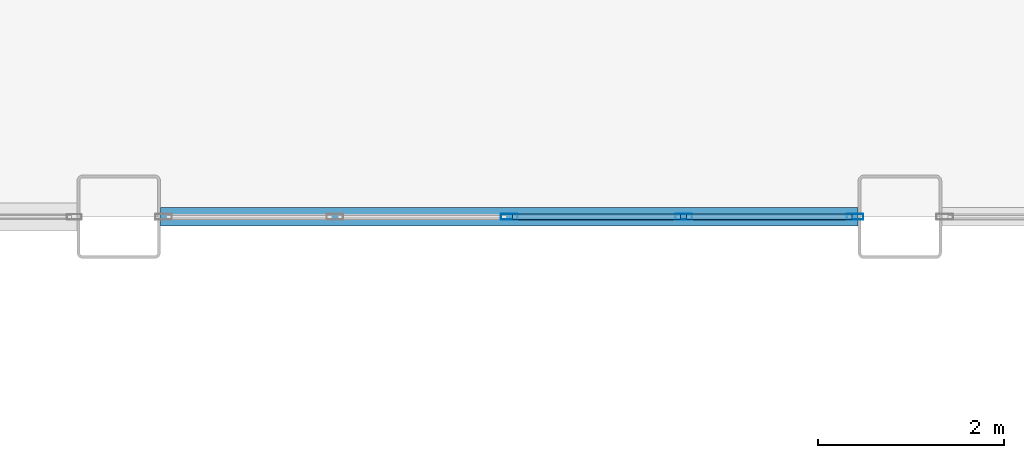
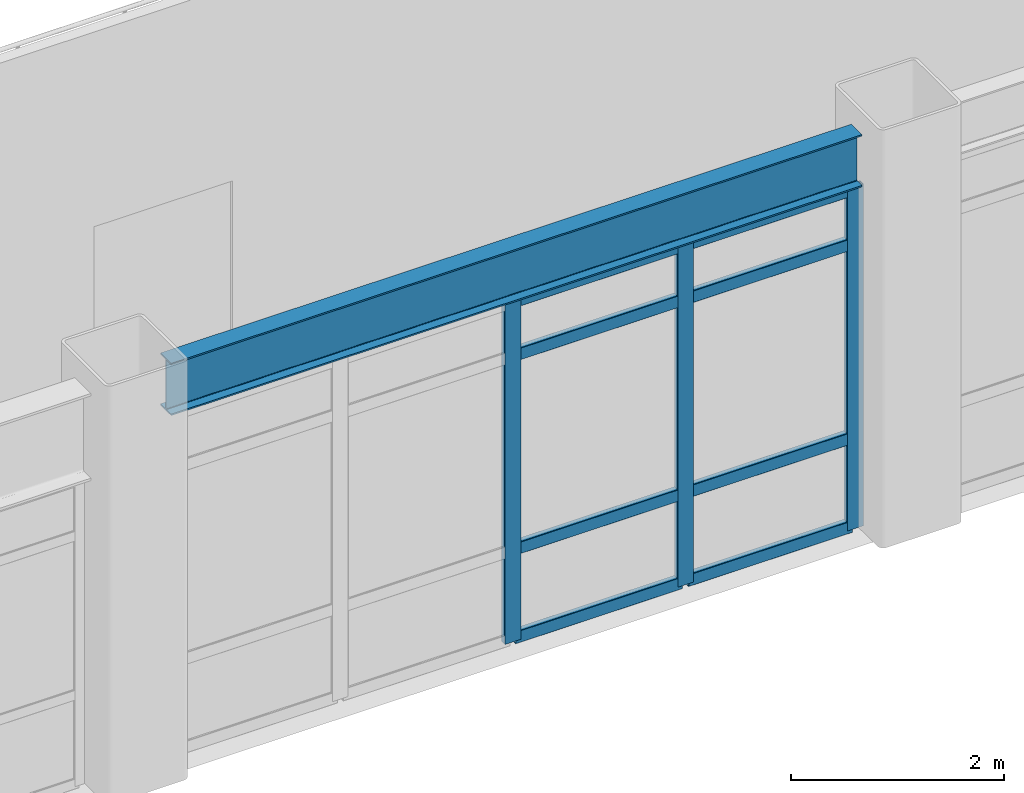
# One storey, part 29 of 172: 11 members, 1 beam, 1 element without a shape of its own.
"""IFC4 building model written with IfcOpenShell, lengths in metres."""

from ifc_helpers import new_model, si_unit, direction, frame, origin, origin_2d, place, context, subcontext, project, spatial, hollow_rectangle, i_section, extrude, material, layer, layer_set, material_profile, profile_set, type_object, element, aggregate, save


model = new_model("IFC4")

# Units and contexts
model_context = context("Model", 3, precision=1e-05, world=origin(), true_north=direction((0.0, 1.0)))
body_context = subcontext(model_context, "Body", "Model", "MODEL_VIEW")
ifc_project = project(units=[si_unit("LENGTHUNIT", "METRE"), si_unit("AREAUNIT", "SQUARE_METRE"), si_unit("VOLUMEUNIT", "CUBIC_METRE"), si_unit("PLANEANGLEUNIT", "RADIAN"), si_unit("MASSUNIT", "GRAM", prefix="KILO")], contexts=[model_context])

# Site, building, storey
site_placement = place(None, origin())
site = spatial("IfcSite", under=ifc_project, at=site_placement, CompositionType="ELEMENT")
building_placement = place(site_placement, origin())
building = spatial("IfcBuilding", under=site, at=building_placement, Name="Kazehara Bluff Congress Hotel", CompositionType="ELEMENT")
storey_placement = place(building_placement, frame((0.0, 0.0, 5.39990234375)))
storey = spatial("IfcBuildingStorey", under=building, at=storey_placement, Name="L01", CompositionType="ELEMENT", Elevation=5.39990234375)

# Curtain wall, members
ifc_material_1 = material(Name="Anodised aluminium", Category="aluminium")
ifc_layer = layer(ifc_material_1, 0.159912109375)
ifc_layer_set = layer_set([ifc_layer], Name="Anodised aluminium")
curtain_wall_type = type_object("IfcCurtainWallType", Name="TP-CW-13", PredefinedType="NOTDEFINED", material=ifc_layer_set)
curtain_wall_placement = place(storey_placement, origin())
curtain_wall = element("IfcCurtainWall", 1, at=curtain_wall_placement, inside=storey, type_object=curtain_wall_type, Name="L01 curtain wall CW-13 CW-V1-L01-Y4845-2565", PredefinedType="NOTDEFINED")
ifc_material_2 = material(Name="Anodised aluminium", Category="aluminium")
ifc_material_profile_1 = material_profile(ifc_material_2, hollow_rectangle(XDim=0.06494140625, YDim=0.179931640625, WallThickness=0.00390625, InnerFilletRadius=0.00390625, OuterFilletRadius=0.008056640625, at=origin_2d()))
ifc_profile_set_1 = profile_set([ifc_material_profile_1], Name="Anodised aluminium")
member_type_1 = type_object("IfcMemberType", Name="TP-CWM-02", PredefinedType="MULLION", material=ifc_profile_set_1)
member_1_placement = place(storey_placement, frame((29.39990234375, 48.449951171875, 0.0), z_axis=(0.0, 0.0, 1.0), x_axis=(0.0, 1.0, 0.0)))
member_1 = element("IfcMember", 2, at=member_1_placement, type_object=member_type_1, Name="CW-13 mullion 3", PredefinedType="MULLION", context=body_context, shape_type="SweptSolid", body=[
    extrude(hollow_rectangle(XDim=0.06494140625, YDim=0.179931640625, WallThickness=0.00390625, InnerFilletRadius=0.00390625, OuterFilletRadius=0.008056640625, at=origin_2d()), origin(), (0.0, 0.0, 1.0), 3.925048828125),
])
member_2_placement = place(storey_placement, frame((31.27490234375, 48.449951171875, 0.0), z_axis=(0.0, 0.0, 1.0), x_axis=(0.0, 1.0, 0.0)))
member_2 = element("IfcMember", 3, at=member_2_placement, type_object=member_type_1, Name="CW-13 mullion 4", PredefinedType="MULLION", context=body_context, shape_type="SweptSolid", body=[
    extrude(hollow_rectangle(XDim=0.06494140625, YDim=0.179931640625, WallThickness=0.00390625, InnerFilletRadius=0.00390625, OuterFilletRadius=0.008056640625, at=origin_2d()), origin(), (0.0, 0.0, 1.0), 3.925048828125),
])
member_3_placement = place(storey_placement, frame((33.117431640625, 48.449951171875, 0.0), z_axis=(0.0, 0.0, 1.0), x_axis=(0.0, 1.0, 0.0)))
member_3 = element("IfcMember", 4, at=member_3_placement, type_object=member_type_1, Name="CW-13 mullion 5", PredefinedType="MULLION", context=body_context, shape_type="SweptSolid", body=[
    extrude(hollow_rectangle(XDim=0.06494140625, YDim=0.179931640625, WallThickness=0.00390625, InnerFilletRadius=0.00390625, OuterFilletRadius=0.008056640625, at=origin_2d()), origin(), (0.0, 0.0, 1.0), 3.925048828125),
])
ifc_material_3 = material(Name="Anodised aluminium", Category="aluminium")
ifc_material_profile_2 = material_profile(ifc_material_3, hollow_rectangle(XDim=0.06494140625, YDim=0.139892578125, WallThickness=0.00390625, InnerFilletRadius=0.00390625, OuterFilletRadius=0.008056640625, at=origin_2d()))
ifc_profile_set_2 = profile_set([ifc_material_profile_2], Name="Anodised aluminium")
member_type_2 = type_object("IfcMemberType", Name="TP-CWT-02", PredefinedType="USERDEFINED", material=ifc_profile_set_2)
member_4_placement = place(storey_placement, frame((29.4326171875, 48.449951171875, 0.03271484375), z_axis=(1.0, 0.0, 0.0), x_axis=(0.0, 1.0, 0.0)))
member_4 = element("IfcMember", 5, at=member_4_placement, type_object=member_type_2, Name="CW-13 transom 3.1", ObjectType="TRANSOM", PredefinedType="USERDEFINED", context=body_context, shape_type="SweptSolid", body=[
    extrude(hollow_rectangle(XDim=0.06494140625, YDim=0.139892578125, WallThickness=0.00390625, InnerFilletRadius=0.00390625, OuterFilletRadius=0.008056640625, at=origin_2d()), origin(), (0.0, 0.0, 1.0), 1.809814453125),
])
member_5_placement = place(storey_placement, frame((29.4326171875, 48.449951171875, 1.050048828125), z_axis=(1.0, 0.0, 0.0), x_axis=(0.0, 1.0, 0.0)))
member_5 = element("IfcMember", 6, at=member_5_placement, type_object=member_type_2, Name="CW-13 transom 3.2", ObjectType="TRANSOM", PredefinedType="USERDEFINED", context=body_context, shape_type="SweptSolid", body=[
    extrude(hollow_rectangle(XDim=0.06494140625, YDim=0.139892578125, WallThickness=0.00390625, InnerFilletRadius=0.00390625, OuterFilletRadius=0.008056640625, at=origin_2d()), origin(), (0.0, 0.0, 1.0), 1.809814453125),
])
member_6_placement = place(storey_placement, frame((29.4326171875, 48.449951171875, 3.275146484375), z_axis=(1.0, 0.0, 0.0), x_axis=(0.0, 1.0, 0.0)))
member_6 = element("IfcMember", 7, at=member_6_placement, type_object=member_type_2, Name="CW-13 transom 3.3", ObjectType="TRANSOM", PredefinedType="USERDEFINED", context=body_context, shape_type="SweptSolid", body=[
    extrude(hollow_rectangle(XDim=0.06494140625, YDim=0.139892578125, WallThickness=0.00390625, InnerFilletRadius=0.00390625, OuterFilletRadius=0.008056640625, at=origin_2d()), origin(), (0.0, 0.0, 1.0), 1.809814453125),
])
member_7_placement = place(storey_placement, frame((29.4326171875, 48.449951171875, 3.892578125), z_axis=(1.0, 0.0, 0.0), x_axis=(0.0, 1.0, 0.0)))
member_7 = element("IfcMember", 8, at=member_7_placement, type_object=member_type_2, Name="CW-13 transom 3.4", ObjectType="TRANSOM", PredefinedType="USERDEFINED", context=body_context, shape_type="SweptSolid", body=[
    extrude(hollow_rectangle(XDim=0.06494140625, YDim=0.139892578125, WallThickness=0.00390625, InnerFilletRadius=0.00390625, OuterFilletRadius=0.008056640625, at=origin_2d()), origin(), (0.0, 0.0, 1.0), 1.809814453125),
])
member_8_placement = place(storey_placement, frame((31.3076171875, 48.449951171875, 0.03271484375), z_axis=(1.0, 0.0, 0.0), x_axis=(0.0, 1.0, 0.0)))
member_8 = element("IfcMember", 9, at=member_8_placement, type_object=member_type_2, Name="CW-13 transom 4.1", ObjectType="TRANSOM", PredefinedType="USERDEFINED", context=body_context, shape_type="SweptSolid", body=[
    extrude(hollow_rectangle(XDim=0.06494140625, YDim=0.139892578125, WallThickness=0.00390625, InnerFilletRadius=0.00390625, OuterFilletRadius=0.008056640625, at=origin_2d()), origin(), (0.0, 0.0, 1.0), 1.77734375),
])
member_9_placement = place(storey_placement, frame((31.3076171875, 48.449951171875, 1.050048828125), z_axis=(1.0, 0.0, 0.0), x_axis=(0.0, 1.0, 0.0)))
member_9 = element("IfcMember", 10, at=member_9_placement, type_object=member_type_2, Name="CW-13 transom 4.2", ObjectType="TRANSOM", PredefinedType="USERDEFINED", context=body_context, shape_type="SweptSolid", body=[
    extrude(hollow_rectangle(XDim=0.06494140625, YDim=0.139892578125, WallThickness=0.00390625, InnerFilletRadius=0.00390625, OuterFilletRadius=0.008056640625, at=origin_2d()), origin(), (0.0, 0.0, 1.0), 1.77734375),
])
member_10_placement = place(storey_placement, frame((31.3076171875, 48.449951171875, 3.275146484375), z_axis=(1.0, 0.0, 0.0), x_axis=(0.0, 1.0, 0.0)))
member_10 = element("IfcMember", 11, at=member_10_placement, type_object=member_type_2, Name="CW-13 transom 4.3", ObjectType="TRANSOM", PredefinedType="USERDEFINED", context=body_context, shape_type="SweptSolid", body=[
    extrude(hollow_rectangle(XDim=0.06494140625, YDim=0.139892578125, WallThickness=0.00390625, InnerFilletRadius=0.00390625, OuterFilletRadius=0.008056640625, at=origin_2d()), origin(), (0.0, 0.0, 1.0), 1.77734375),
])
member_11_placement = place(storey_placement, frame((31.3076171875, 48.449951171875, 3.892578125), z_axis=(1.0, 0.0, 0.0), x_axis=(0.0, 1.0, 0.0)))
member_11 = element("IfcMember", 12, at=member_11_placement, type_object=member_type_2, Name="CW-13 transom 4.4", ObjectType="TRANSOM", PredefinedType="USERDEFINED", context=body_context, shape_type="SweptSolid", body=[
    extrude(hollow_rectangle(XDim=0.06494140625, YDim=0.139892578125, WallThickness=0.00390625, InnerFilletRadius=0.00390625, OuterFilletRadius=0.008056640625, at=origin_2d()), origin(), (0.0, 0.0, 1.0), 1.77734375),
])
aggregate(curtain_wall, [member_1, member_2, member_3, member_4, member_5, member_6, member_7, member_8, member_9, member_10, member_11])

# Beam
ifc_material_4 = material(Name="Steel SN490B", Category="steel")
ifc_material_profile_3 = material_profile(ifc_material_4, i_section(OverallWidth=0.199951171875, OverallDepth=0.60009765625, WebThickness=0.010986328125, FlangeThickness=0.01708984375, FilletRadius=0.012939453125, at=origin_2d()))
ifc_profile_set_3 = profile_set([ifc_material_profile_3], Name="Steel SN490B")
beam_type = type_object("IfcBeamType", Name="TP-SP-02", PredefinedType="SPANDREL", material=ifc_profile_set_3)
beam_placement = place(storey_placement, frame((25.64990234375, 48.449951171875, 4.25), z_axis=(1.0, 0.0, 0.0), x_axis=(0.0, 1.0, 0.0)))
element("IfcBeam", 13, at=beam_placement, inside=storey, type_object=beam_type, Name="L01 girder SP-02 27", PredefinedType="SPANDREL", context=body_context, shape_type="SweptSolid", body=[
    extrude(i_section(OverallWidth=0.199951171875, OverallDepth=0.60009765625, WebThickness=0.010986328125, FlangeThickness=0.01708984375, FilletRadius=0.012939453125, at=origin_2d()), origin(), (0.0, 0.0, 1.0), 7.5),
])

save(model, "model.ifc")
